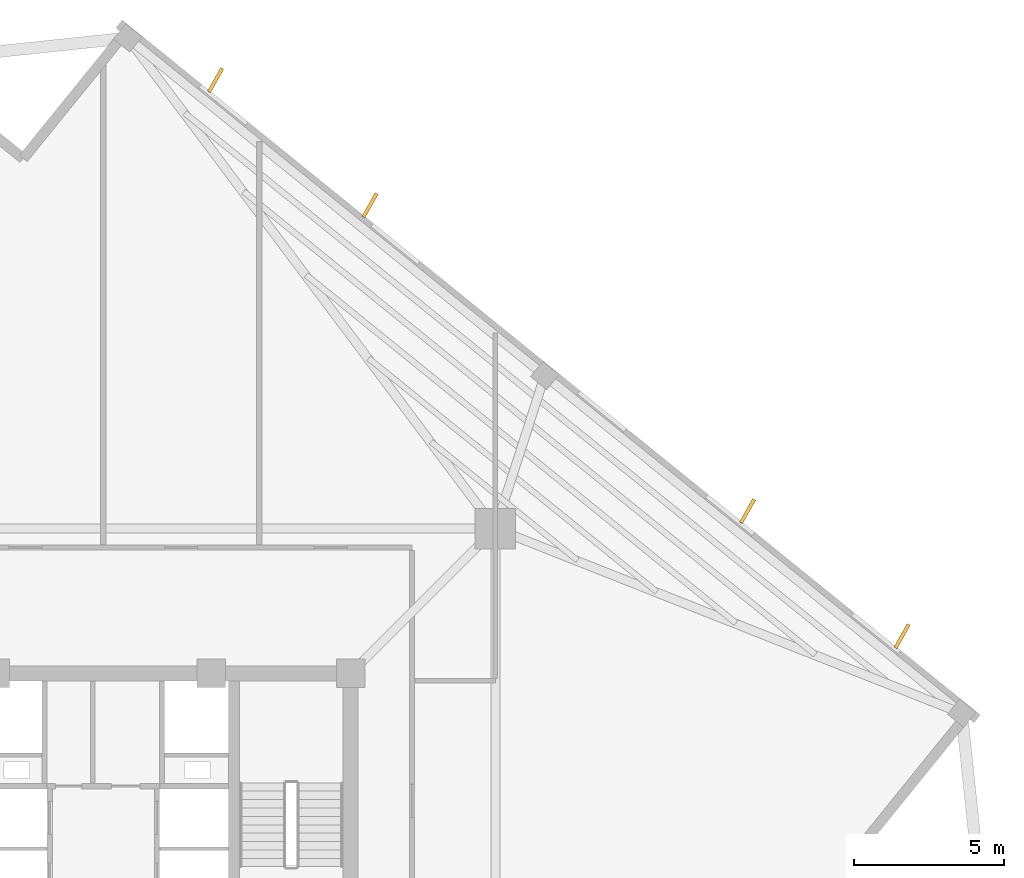
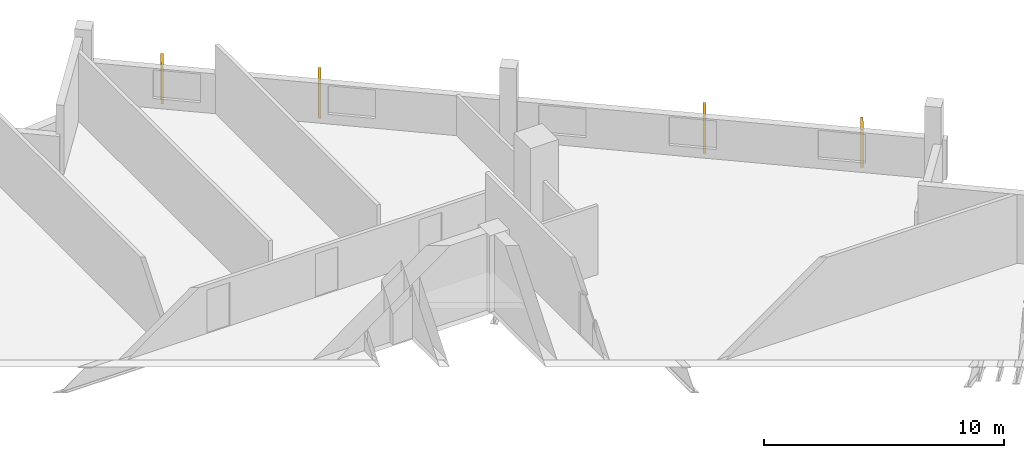
# One storey, part 9 of 9: 4 coverings.
"""IFC4 building model written with IfcOpenShell, lengths in metres."""

from ifc_helpers import new_model, si_unit, direction, frame, origin, origin_2d, place, context, subcontext, project, spatial, rectangle, extrude, source, transform, mapped, material, layer, layer_set, type_object, element, save


model = new_model("IFC4")

# Units and contexts
model_context = context("Model", 3, precision=1e-05, world=origin(), true_north=direction((0.0, 1.0)))
body_context = subcontext(model_context, "Body", "Model", "MODEL_VIEW")
ifc_project = project(units=[si_unit("LENGTHUNIT", "METRE"), si_unit("AREAUNIT", "SQUARE_METRE"), si_unit("VOLUMEUNIT", "CUBIC_METRE"), si_unit("PLANEANGLEUNIT", "RADIAN"), si_unit("MASSUNIT", "GRAM", prefix="KILO"), si_unit("THERMODYNAMICTEMPERATUREUNIT", "KELVIN")], contexts=[model_context])

# Site, building, storey
site_placement = place(None, origin())
site = spatial("IfcSite", under=ifc_project, at=site_placement, CompositionType="ELEMENT")
building_placement = place(site_placement, origin())
building = spatial("IfcBuilding", under=site, at=building_placement, Name="Kosmvard Interchange Tower", CompositionType="ELEMENT")
storey_placement = place(building_placement, frame((0.0, 0.0, 256.300048828125)))
storey = spatial("IfcBuildingStorey", under=building, at=storey_placement, Name="L62", CompositionType="ELEMENT", Elevation=256.300048828125)

# Coverings
ifc_material = material(Name="Architectural anodised aluminium", Category="aluminium")
ifc_layer = layer(ifc_material, 0.1201171875, Name="Architectural anodised aluminium")
ifc_layer_set = layer_set([ifc_layer], Name="Architectural anodised aluminium")
covering_type = type_object("IfcCoveringType", Name="Rotating Vertical Sun-Breaker Fin 900x120 Aluminium", PredefinedType="CLADDING", material=ifc_layer_set)
shared_shape = source(origin(), body_context, "Body", "SweptSolid", [
    extrude(rectangle(XDim=0.89990234375, YDim=0.1201171875, at=origin_2d()), origin(), (0.0, 0.0, 1.0), 1.93994140625),
])
for number, where, z_axis, x_axis, name in (
    (1, (26.650146484375, 9.494384765625, 0.0400390625), (0.0, 0.0, 1.0), (0.489534649095, 0.871983845799, 0.0), "L62 Rotating Vertical Sun-Breaker Fin 05"),
    (2, (21.49658203125, 13.66748046875, 0.0400390625), (0.0, 0.0, 1.0), (0.489534649095, 0.871983845799, 0.0), "L62 Rotating Vertical Sun-Breaker Fin 06"),
    (3, (8.8994140625, 23.86865234375, 0.0400390625), (0.0, 0.0, 1.0), (0.489534649095, 0.871983845799, 0.0), "L62 Rotating Vertical Sun-Breaker Fin 07"),
    (4, (3.74609375, 28.041748046875, 0.0400390625), (0.0, 0.0, 1.0), (0.489534649095, 0.871983845799, 0.0), "L62 Rotating Vertical Sun-Breaker Fin 08"),
):
    element("IfcCovering", number, at=place(storey_placement, frame(where, z_axis=z_axis, x_axis=x_axis)), inside=storey, type_object=covering_type, Name=name, PredefinedType="CLADDING", context=body_context, shape_type="MappedRepresentation", body=[
        mapped(shared_shape, transform((0.0, 0.0, 0.0), scale=1.0)),
    ])

save(model, "model.ifc")
